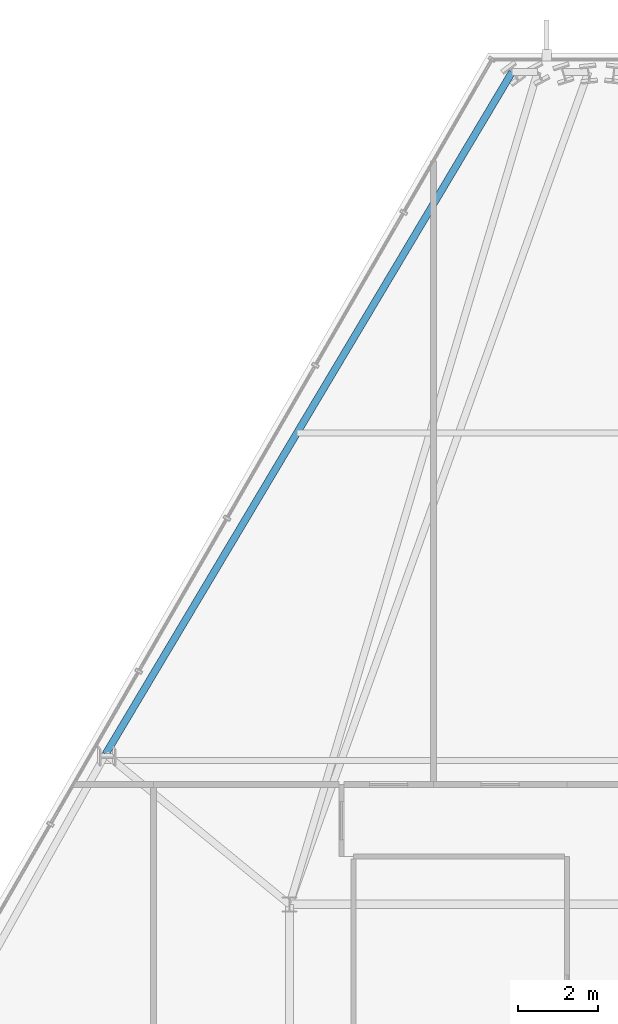
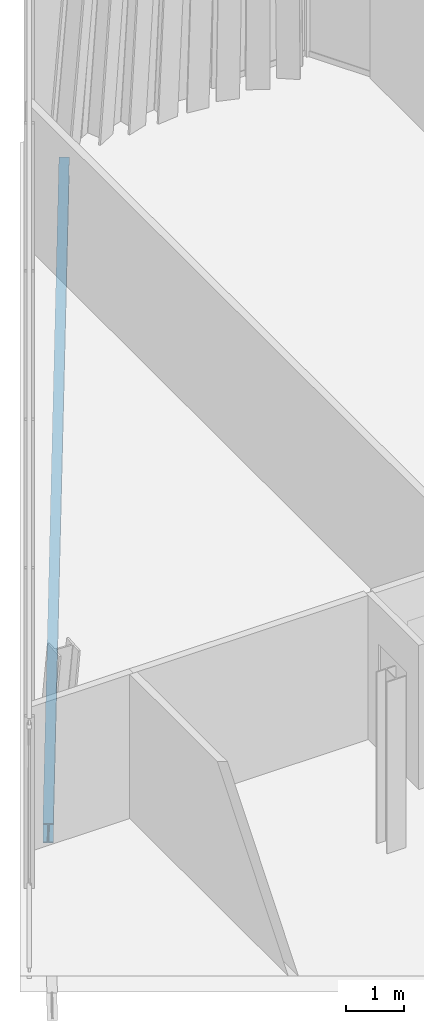
# One storey, part 15 of 34: 1 beam.
"""IFC4 building model written with IfcOpenShell, lengths in metres."""

from ifc_helpers import new_model, si_unit, direction, frame, origin, origin_2d, place, context, subcontext, project, spatial, i_section, extrude, material, material_profile, profile_set, type_object, element, save


model = new_model("IFC4")

# Units and contexts
model_context = context("Model", 3, precision=1e-05, world=origin(), true_north=direction((0.0, 1.0)))
body_context = subcontext(model_context, "Body", "Model", "MODEL_VIEW")
ifc_project = project(units=[si_unit("LENGTHUNIT", "METRE"), si_unit("AREAUNIT", "SQUARE_METRE"), si_unit("VOLUMEUNIT", "CUBIC_METRE"), si_unit("PLANEANGLEUNIT", "RADIAN"), si_unit("MASSUNIT", "GRAM", prefix="KILO")], contexts=[model_context])

# Site, building, storey
site_placement = place(None, origin())
site = spatial("IfcSite", under=ifc_project, at=site_placement, CompositionType="ELEMENT")
building_placement = place(site_placement, origin())
building = spatial("IfcBuilding", under=site, at=building_placement, Name="Ndaravel Arena Tower", CompositionType="ELEMENT")
storey_placement = place(building_placement, frame((0.0, 0.0, 267.39990234375)))
storey = spatial("IfcBuildingStorey", under=building, at=storey_placement, Name="L65", CompositionType="ELEMENT", Elevation=267.39990234375)

# Beam
ifc_material = material(Name="Steel S355", Category="steel")
ifc_material_profile = material_profile(ifc_material, i_section(OverallWidth=0.179931640625, OverallDepth=0.39990234375, WebThickness=0.008544921875, FlangeThickness=0.013427734375, FilletRadius=0.02099609375, at=origin_2d()), Name="IPE 400")
ifc_profile_set = profile_set([ifc_material_profile], Name="Steel S355")
beam_type = type_object("IfcBeamType", Name="BM-SPAN-IPE400", PredefinedType="SPANDREL", material=ifc_profile_set)
beam_placement = place(storey_placement, frame((39.772705078125, 44.038330078125, -0.419921875), z_axis=(-0.511957538503, -0.85901075591, 0.0), x_axis=(0.85901075591, -0.511957538503, 0.0)))
element("IfcBeam", 1, at=beam_placement, inside=storey, type_object=beam_type, Name="L65 Perimeter Spandrel Beam SP-18", PredefinedType="SPANDREL", context=body_context, shape_type="SweptSolid", body=[
    extrude(i_section(OverallWidth=0.179931640625, OverallDepth=0.39990234375, WebThickness=0.008544921875, FlangeThickness=0.013427734375, FilletRadius=0.02099609375, at=origin_2d()), origin(), (0.0, 0.0, 1.0), 19.877197265625),
])

save(model, "model.ifc")
